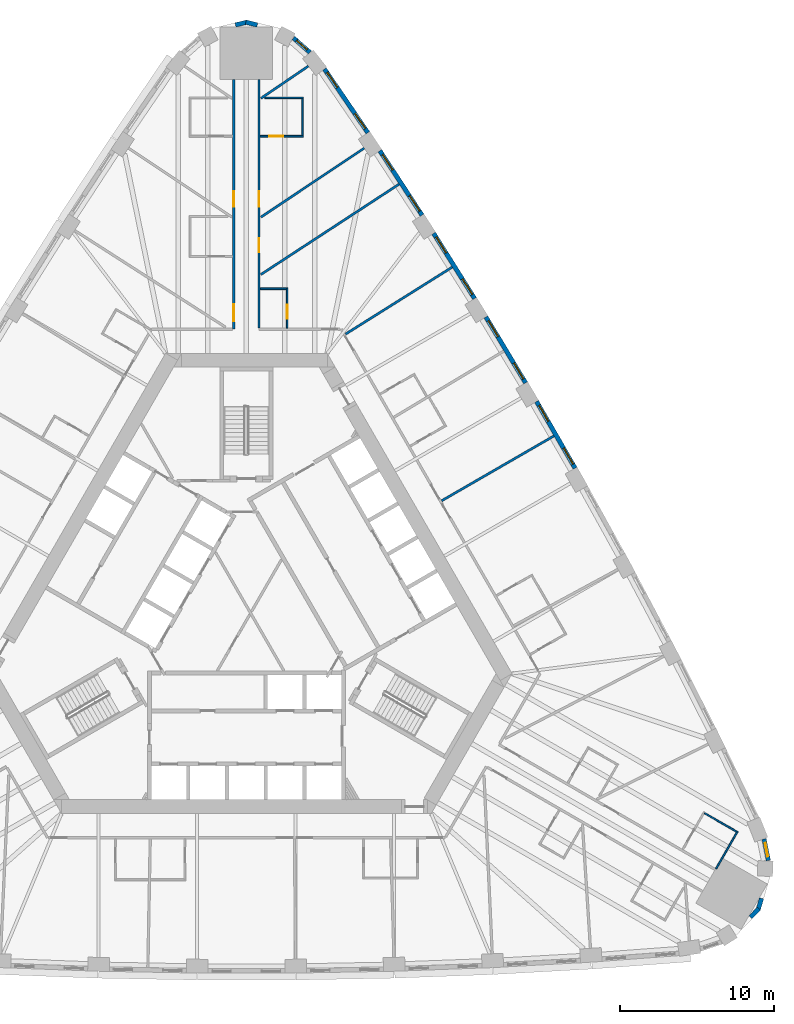
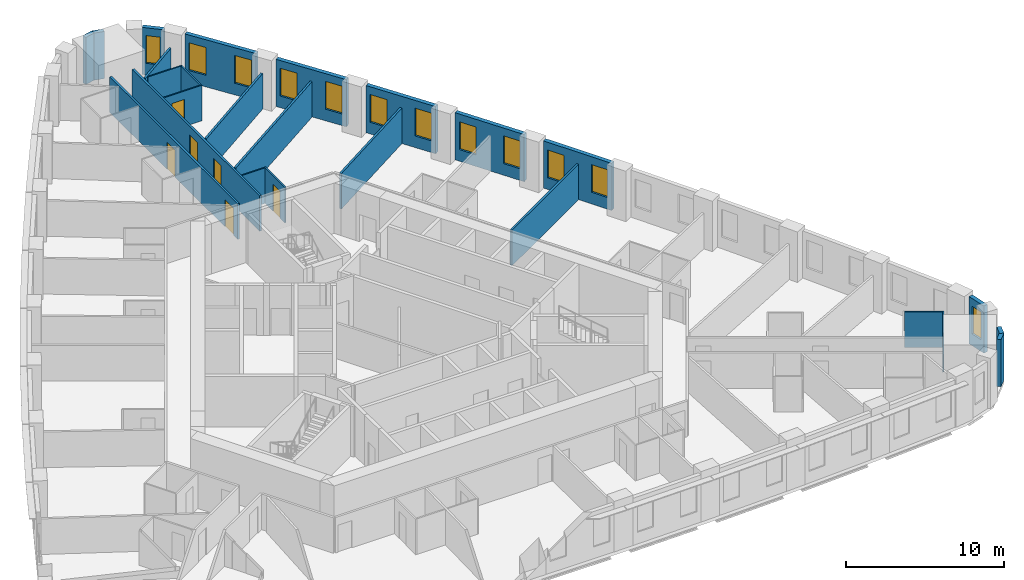
# One storey, part 11 of 13: 25 walls, 12 windows, 6 doors, 18 openings.
"""IFC4 building model written with IfcOpenShell, lengths in metres."""

from ifc_helpers import new_model, si_unit, direction, frame, frame_2d, origin, place, context, subcontext, project, spatial, rectangle, extrude, material, layer, layer_set, type_object, element, fill, save


model = new_model("IFC4")

# Units and contexts
model_context = context("Model", 3, precision=1e-05, world=origin(), true_north=direction((0.0, 1.0)))
body_context = subcontext(model_context, "Body", "Model", "MODEL_VIEW")
ifc_project = project(units=[si_unit("LENGTHUNIT", "METRE"), si_unit("AREAUNIT", "SQUARE_METRE"), si_unit("VOLUMEUNIT", "CUBIC_METRE"), si_unit("PLANEANGLEUNIT", "RADIAN"), si_unit("MASSUNIT", "GRAM", prefix="KILO")], contexts=[model_context])

# Site, building, storey
site_placement = place(None, origin())
site = spatial("IfcSite", under=ifc_project, at=site_placement, CompositionType="ELEMENT")
building_placement = place(site_placement, origin())
building = spatial("IfcBuilding", under=site, at=building_placement, Name="Mestral Congress Tower", CompositionType="ELEMENT")
storey_placement = place(building_placement, frame((0.0, 0.0, 51.0)))
storey = spatial("IfcBuildingStorey", under=building, at=storey_placement, Name="L11", CompositionType="ELEMENT", Elevation=51.0)

# Walls
ifc_material_1 = material(Name="Precast concrete C40/50 with limestone facing", Category="masonry")
ifc_layer_1 = layer(ifc_material_1, 0.2900390625)
ifc_layer_set_1 = layer_set([ifc_layer_1], Name="Precast concrete C40/50 with limestone facing")
wall_type_1 = type_object("IfcWallType", Name="Facade stone wall 290", PredefinedType="SOLIDWALL", material=ifc_layer_set_1)
for number, where, z_axis, x_axis, name in (
    (1, (32.762451171875, -19.732177734375, 0.0), (0.0, 0.0, 1.0), (0.692252359589, 0.721655506903, 0.0), "Facade wall K0-1"),
    (2, (33.256591796875, -19.24072265625, 0.0), (0.0, 0.0, 1.0), (0.278981320915, 0.960296528464, 0.0), "Facade wall K0-2"),
):
    element("IfcWall", number, at=place(storey_placement, frame(where, z_axis=z_axis, x_axis=x_axis)), inside=storey, type_object=wall_type_1, Name=name, PredefinedType="SOLIDWALL", context=body_context, shape_type="SweptSolid", body=[
        extrude(rectangle(XDim=0.763916015625, YDim=0.2900390625, at=frame_2d((0.3818359375, 0.0))), origin(), (0.0, 0.0, 1.0), 3.64990234375),
    ])

# Wall, opening, window
wall_1_placement = place(storey_placement, frame((33.91748046875, -16.043701171875, 0.0), z_axis=(0.0, 0.0, 1.0), x_axis=(-0.198106888228, 0.980180422594, 0.0)))
wall_1 = element("IfcWall", 3, at=wall_1_placement, inside=storey, type_object=wall_type_1, Name="Facade wall K0-3", PredefinedType="SOLIDWALL", context=body_context, shape_type="SweptSolid", body=[
    extrude(rectangle(XDim=1.414794921875, YDim=0.2900390625, at=frame_2d((0.70751953125, 0.0))), origin(), (0.0, 0.0, 1.0), 3.64990234375),
])
opening_1_placement = place(wall_1_placement, frame((0.25732421875, 0.0, 0.89990234375)))
opening_1 = element("IfcOpeningElement", 4, at=opening_1_placement, cuts=wall_1, Name="Opening W3", PredefinedType="OPENING", context=body_context, shape_type="SweptSolid", body=[
    extrude(rectangle(XDim=0.89990234375, YDim=2.14990234375, at=frame_2d((0.449951171875, 1.074951171875))), frame((0.0, 0.155029296875, 0.0), z_axis=(0.0, -1.0, 0.0), x_axis=(1.0, 0.0, 0.0)), (0.0, 0.0, 1.0), 0.31005859375),
])
ifc_material_2 = material(Name="Clear low-emissivity double glazing", Category="glass")
window_type_1 = type_object("IfcWindowType", Name="Facade punched window 900 x 2150 sill 900", PartitioningType="SINGLE_PANEL", PredefinedType="WINDOW", material=ifc_material_2)
window_1_placement = place(opening_1_placement, origin())
window_1 = element("IfcWindow", 5, at=window_1_placement, inside=storey, type_object=window_type_1, Name="Window K0-3", OverallHeight=2.14990234375, OverallWidth=0.89990234375, PartitioningType="SINGLE_PANEL", PredefinedType="WINDOW", context=body_context, shape_type="SweptSolid", body=[
    extrude(rectangle(XDim=0.89990234375, YDim=2.14990234375, at=frame_2d((0.449951171875, 1.074951171875))), frame((0.0, 0.01513671875, 0.0), z_axis=(0.0, -1.0, 0.0), x_axis=(1.0, 0.0, 0.0)), (0.0, 0.0, 1.0), 0.06005859375),
])
fill(opening_1, window_1)

# Wall, openings, windows
wall_2_placement = place(storey_placement, frame((21.357177734375, 9.44482421875, 0.0), z_axis=(0.0, 0.0, 1.0), x_axis=(-0.50002123722, 0.866013142123, 0.0)))
wall_2 = element("IfcWall", 6, at=wall_2_placement, inside=storey, type_object=wall_type_1, Name="Facade wall F1-04", PredefinedType="SOLIDWALL", context=body_context, shape_type="SweptSolid", body=[
    extrude(rectangle(XDim=4.998291015625, YDim=0.2900390625, at=frame_2d((2.4990234375, 0.0))), origin(), (0.0, 0.0, 1.0), 3.64990234375),
])
opening_2_placement = place(wall_2_placement, frame((0.297119140625, 0.0, 0.89990234375)))
opening_2 = element("IfcOpeningElement", 7, at=opening_2_placement, cuts=wall_2, Name="Opening W1", PredefinedType="OPENING", context=body_context, shape_type="SweptSolid", body=[
    extrude(rectangle(XDim=1.199951171875, YDim=2.14990234375, at=frame_2d((0.60009765625, 1.074951171875))), frame((0.0, 0.155029296875, 0.0), z_axis=(0.0, -1.0, 0.0), x_axis=(1.0, 0.0, 0.0)), (0.0, 0.0, 1.0), 0.31005859375),
])
opening_3_placement = place(wall_2_placement, frame((3.501220703125, 0.0, 0.89990234375)))
opening_3 = element("IfcOpeningElement", 8, at=opening_3_placement, cuts=wall_2, Name="Opening W1", PredefinedType="OPENING", context=body_context, shape_type="SweptSolid", body=[
    extrude(rectangle(XDim=1.199951171875, YDim=2.14990234375, at=frame_2d((0.60009765625, 1.074951171875))), frame((0.0, 0.155029296875, 0.0), z_axis=(0.0, -1.0, 0.0), x_axis=(1.0, 0.0, 0.0)), (0.0, 0.0, 1.0), 0.31005859375),
])
window_type_2 = type_object("IfcWindowType", Name="Facade punched window 1200 x 2150 sill 900", PartitioningType="DOUBLE_PANEL_VERTICAL", PredefinedType="WINDOW", material=ifc_material_2)
window_2_placement = place(opening_2_placement, origin())
window_2 = element("IfcWindow", 9, at=window_2_placement, inside=storey, type_object=window_type_2, Name="Window F1-04a", OverallHeight=2.14990234375, OverallWidth=1.199951171875, PartitioningType="DOUBLE_PANEL_VERTICAL", PredefinedType="WINDOW", context=body_context, shape_type="SweptSolid", body=[
    extrude(rectangle(XDim=1.199951171875, YDim=2.14990234375, at=frame_2d((0.60009765625, 1.074951171875))), frame((0.0, 0.01513671875, 0.0), z_axis=(0.0, -1.0, 0.0), x_axis=(1.0, 0.0, 0.0)), (0.0, 0.0, 1.0), 0.06005859375),
])
fill(opening_2, window_2)
window_3_placement = place(opening_3_placement, origin())
window_3 = element("IfcWindow", 10, at=window_3_placement, inside=storey, type_object=window_type_2, Name="Window F1-04b", OverallHeight=2.14990234375, OverallWidth=1.199951171875, PartitioningType="DOUBLE_PANEL_VERTICAL", PredefinedType="WINDOW", context=body_context, shape_type="SweptSolid", body=[
    extrude(rectangle(XDim=1.199951171875, YDim=2.14990234375, at=frame_2d((0.60009765625, 1.074951171875))), frame((0.0, 0.01513671875, 0.0), z_axis=(0.0, -1.0, 0.0), x_axis=(1.0, 0.0, 0.0)), (0.0, 0.0, 1.0), 0.06005859375),
])
fill(opening_3, window_3)

wall_3_placement = place(storey_placement, frame((18.143310546875, 14.985595703125, 0.0), z_axis=(0.0, 0.0, 1.0), x_axis=(-0.515938796285, 0.856625448191, 0.0)))
wall_3 = element("IfcWall", 11, at=wall_3_placement, inside=storey, type_object=wall_type_1, Name="Facade wall F1-05", PredefinedType="SOLIDWALL", context=body_context, shape_type="SweptSolid", body=[
    extrude(rectangle(XDim=4.998291015625, YDim=0.2900390625, at=frame_2d((2.4990234375, 0.0))), origin(), (0.0, 0.0, 1.0), 3.64990234375),
])
opening_4_placement = place(wall_3_placement, frame((0.297119140625, 0.0, 0.89990234375)))
opening_4 = element("IfcOpeningElement", 12, at=opening_4_placement, cuts=wall_3, Name="Opening W1", PredefinedType="OPENING", context=body_context, shape_type="SweptSolid", body=[
    extrude(rectangle(XDim=1.199951171875, YDim=2.14990234375, at=frame_2d((0.60009765625, 1.074951171875))), frame((0.0, 0.155029296875, 0.0), z_axis=(0.0, -1.0, 0.0), x_axis=(1.0, 0.0, 0.0)), (0.0, 0.0, 1.0), 0.31005859375),
])
opening_5_placement = place(wall_3_placement, frame((3.501220703125, 0.0, 0.89990234375)))
opening_5 = element("IfcOpeningElement", 13, at=opening_5_placement, cuts=wall_3, Name="Opening W1", PredefinedType="OPENING", context=body_context, shape_type="SweptSolid", body=[
    extrude(rectangle(XDim=1.199951171875, YDim=2.14990234375, at=frame_2d((0.60009765625, 1.074951171875))), frame((0.0, 0.155029296875, 0.0), z_axis=(0.0, -1.0, 0.0), x_axis=(1.0, 0.0, 0.0)), (0.0, 0.0, 1.0), 0.31005859375),
])
window_4_placement = place(opening_4_placement, origin())
window_4 = element("IfcWindow", 14, at=window_4_placement, inside=storey, type_object=window_type_2, Name="Window F1-05a", OverallHeight=2.14990234375, OverallWidth=1.199951171875, PartitioningType="DOUBLE_PANEL_VERTICAL", PredefinedType="WINDOW", context=body_context, shape_type="SweptSolid", body=[
    extrude(rectangle(XDim=1.199951171875, YDim=2.14990234375, at=frame_2d((0.60009765625, 1.074951171875))), frame((0.0, 0.01513671875, 0.0), z_axis=(0.0, -1.0, 0.0), x_axis=(1.0, 0.0, 0.0)), (0.0, 0.0, 1.0), 0.06005859375),
])
fill(opening_4, window_4)
window_5_placement = place(opening_5_placement, origin())
window_5 = element("IfcWindow", 15, at=window_5_placement, inside=storey, type_object=window_type_2, Name="Window F1-05b", OverallHeight=2.14990234375, OverallWidth=1.199951171875, PartitioningType="DOUBLE_PANEL_VERTICAL", PredefinedType="WINDOW", context=body_context, shape_type="SweptSolid", body=[
    extrude(rectangle(XDim=1.199951171875, YDim=2.14990234375, at=frame_2d((0.60009765625, 1.074951171875))), frame((0.0, 0.01513671875, 0.0), z_axis=(0.0, -1.0, 0.0), x_axis=(1.0, 0.0, 0.0)), (0.0, 0.0, 1.0), 0.06005859375),
])
fill(opening_5, window_5)

wall_4_placement = place(storey_placement, frame((14.827392578125, 20.466064453125, 0.0), z_axis=(0.0, 0.0, 1.0), x_axis=(-0.531688286542, 0.846940119462, 0.0)))
wall_4 = element("IfcWall", 16, at=wall_4_placement, inside=storey, type_object=wall_type_1, Name="Facade wall F1-06", PredefinedType="SOLIDWALL", context=body_context, shape_type="SweptSolid", body=[
    extrude(rectangle(XDim=4.998291015625, YDim=0.2900390625, at=frame_2d((2.4990234375, 0.0))), origin(), (0.0, 0.0, 1.0), 3.64990234375),
])
opening_6_placement = place(wall_4_placement, frame((0.297119140625, 0.0, 0.89990234375)))
opening_6 = element("IfcOpeningElement", 17, at=opening_6_placement, cuts=wall_4, Name="Opening W1", PredefinedType="OPENING", context=body_context, shape_type="SweptSolid", body=[
    extrude(rectangle(XDim=1.199951171875, YDim=2.14990234375, at=frame_2d((0.60009765625, 1.074951171875))), frame((0.0, 0.155029296875, 0.0), z_axis=(0.0, -1.0, 0.0), x_axis=(1.0, 0.0, 0.0)), (0.0, 0.0, 1.0), 0.31005859375),
])
opening_7_placement = place(wall_4_placement, frame((3.501220703125, 0.0, 0.89990234375)))
opening_7 = element("IfcOpeningElement", 18, at=opening_7_placement, cuts=wall_4, Name="Opening W1", PredefinedType="OPENING", context=body_context, shape_type="SweptSolid", body=[
    extrude(rectangle(XDim=1.199951171875, YDim=2.14990234375, at=frame_2d((0.60009765625, 1.074951171875))), frame((0.0, 0.155029296875, 0.0), z_axis=(0.0, -1.0, 0.0), x_axis=(1.0, 0.0, 0.0)), (0.0, 0.0, 1.0), 0.31005859375),
])
window_6_placement = place(opening_6_placement, origin())
window_6 = element("IfcWindow", 19, at=window_6_placement, inside=storey, type_object=window_type_2, Name="Window F1-06a", OverallHeight=2.14990234375, OverallWidth=1.199951171875, PartitioningType="DOUBLE_PANEL_VERTICAL", PredefinedType="WINDOW", context=body_context, shape_type="SweptSolid", body=[
    extrude(rectangle(XDim=1.199951171875, YDim=2.14990234375, at=frame_2d((0.60009765625, 1.074951171875))), frame((0.0, 0.01513671875, 0.0), z_axis=(0.0, -1.0, 0.0), x_axis=(1.0, 0.0, 0.0)), (0.0, 0.0, 1.0), 0.06005859375),
])
fill(opening_6, window_6)
window_7_placement = place(opening_7_placement, origin())
window_7 = element("IfcWindow", 20, at=window_7_placement, inside=storey, type_object=window_type_2, Name="Window F1-06b", OverallHeight=2.14990234375, OverallWidth=1.199951171875, PartitioningType="DOUBLE_PANEL_VERTICAL", PredefinedType="WINDOW", context=body_context, shape_type="SweptSolid", body=[
    extrude(rectangle(XDim=1.199951171875, YDim=2.14990234375, at=frame_2d((0.60009765625, 1.074951171875))), frame((0.0, 0.01513671875, 0.0), z_axis=(0.0, -1.0, 0.0), x_axis=(1.0, 0.0, 0.0)), (0.0, 0.0, 1.0), 0.06005859375),
])
fill(opening_7, window_7)

wall_5_placement = place(storey_placement, frame((11.41064453125, 25.884033203125, 0.0), z_axis=(0.0, 0.0, 1.0), x_axis=(-0.547204617628, 0.836998868845, 0.0)))
wall_5 = element("IfcWall", 21, at=wall_5_placement, inside=storey, type_object=wall_type_1, Name="Facade wall F1-07", PredefinedType="SOLIDWALL", context=body_context, shape_type="SweptSolid", body=[
    extrude(rectangle(XDim=4.998291015625, YDim=0.2900390625, at=frame_2d((2.4990234375, 0.0))), origin(), (0.0, 0.0, 1.0), 3.64990234375),
])
opening_8_placement = place(wall_5_placement, frame((0.297119140625, 0.0, 0.89990234375)))
opening_8 = element("IfcOpeningElement", 22, at=opening_8_placement, cuts=wall_5, Name="Opening W1", PredefinedType="OPENING", context=body_context, shape_type="SweptSolid", body=[
    extrude(rectangle(XDim=1.199951171875, YDim=2.14990234375, at=frame_2d((0.60009765625, 1.074951171875))), frame((0.0, 0.155029296875, 0.0), z_axis=(0.0, -1.0, 0.0), x_axis=(1.0, 0.0, 0.0)), (0.0, 0.0, 1.0), 0.31005859375),
])
opening_9_placement = place(wall_5_placement, frame((3.501220703125, 0.0, 0.89990234375)))
opening_9 = element("IfcOpeningElement", 23, at=opening_9_placement, cuts=wall_5, Name="Opening W1", PredefinedType="OPENING", context=body_context, shape_type="SweptSolid", body=[
    extrude(rectangle(XDim=1.199951171875, YDim=2.14990234375, at=frame_2d((0.60009765625, 1.074951171875))), frame((0.0, 0.155029296875, 0.0), z_axis=(0.0, -1.0, 0.0), x_axis=(1.0, 0.0, 0.0)), (0.0, 0.0, 1.0), 0.31005859375),
])
window_8_placement = place(opening_8_placement, origin())
window_8 = element("IfcWindow", 24, at=window_8_placement, inside=storey, type_object=window_type_2, Name="Window F1-07a", OverallHeight=2.14990234375, OverallWidth=1.199951171875, PartitioningType="DOUBLE_PANEL_VERTICAL", PredefinedType="WINDOW", context=body_context, shape_type="SweptSolid", body=[
    extrude(rectangle(XDim=1.199951171875, YDim=2.14990234375, at=frame_2d((0.60009765625, 1.074951171875))), frame((0.0, 0.01513671875, 0.0), z_axis=(0.0, -1.0, 0.0), x_axis=(1.0, 0.0, 0.0)), (0.0, 0.0, 1.0), 0.06005859375),
])
fill(opening_8, window_8)
window_9_placement = place(opening_9_placement, origin())
window_9 = element("IfcWindow", 25, at=window_9_placement, inside=storey, type_object=window_type_2, Name="Window F1-07b", OverallHeight=2.14990234375, OverallWidth=1.199951171875, PartitioningType="DOUBLE_PANEL_VERTICAL", PredefinedType="WINDOW", context=body_context, shape_type="SweptSolid", body=[
    extrude(rectangle(XDim=1.199951171875, YDim=2.14990234375, at=frame_2d((0.60009765625, 1.074951171875))), frame((0.0, 0.01513671875, 0.0), z_axis=(0.0, -1.0, 0.0), x_axis=(1.0, 0.0, 0.0)), (0.0, 0.0, 1.0), 0.06005859375),
])
fill(opening_9, window_9)

wall_6_placement = place(storey_placement, frame((7.89453125, 31.23828125, 0.0), z_axis=(0.0, 0.0, 1.0), x_axis=(-0.562610153679, 0.826722332454, 0.0)))
wall_6 = element("IfcWall", 26, at=wall_6_placement, inside=storey, type_object=wall_type_1, Name="Facade wall F1-08", PredefinedType="SOLIDWALL", context=body_context, shape_type="SweptSolid", body=[
    extrude(rectangle(XDim=5.005615234375, YDim=0.2900390625, at=frame_2d((2.5029296875, 0.0))), origin(), (0.0, 0.0, 1.0), 3.64990234375),
])
opening_10_placement = place(wall_6_placement, frame((0.310302734375, 0.0, 0.89990234375)))
opening_10 = element("IfcOpeningElement", 27, at=opening_10_placement, cuts=wall_6, Name="Opening W1", PredefinedType="OPENING", context=body_context, shape_type="SweptSolid", body=[
    extrude(rectangle(XDim=1.199951171875, YDim=2.14990234375, at=frame_2d((0.60009765625, 1.074951171875))), frame((0.0, 0.155029296875, 0.0), z_axis=(0.0, -1.0, 0.0), x_axis=(1.0, 0.0, 0.0)), (0.0, 0.0, 1.0), 0.31005859375),
])
opening_11_placement = place(wall_6_placement, frame((3.54052734375, 0.0, 0.89990234375)))
opening_11 = element("IfcOpeningElement", 28, at=opening_11_placement, cuts=wall_6, Name="Opening W1", PredefinedType="OPENING", context=body_context, shape_type="SweptSolid", body=[
    extrude(rectangle(XDim=1.199951171875, YDim=2.14990234375, at=frame_2d((0.60009765625, 1.074951171875))), frame((0.0, 0.155029296875, 0.0), z_axis=(0.0, -1.0, 0.0), x_axis=(1.0, 0.0, 0.0)), (0.0, 0.0, 1.0), 0.31005859375),
])
window_10_placement = place(opening_10_placement, origin())
window_10 = element("IfcWindow", 29, at=window_10_placement, inside=storey, type_object=window_type_2, Name="Window F1-08a", OverallHeight=2.14990234375, OverallWidth=1.199951171875, PartitioningType="DOUBLE_PANEL_VERTICAL", PredefinedType="WINDOW", context=body_context, shape_type="SweptSolid", body=[
    extrude(rectangle(XDim=1.199951171875, YDim=2.14990234375, at=frame_2d((0.60009765625, 1.074951171875))), frame((0.0, 0.01513671875, 0.0), z_axis=(0.0, -1.0, 0.0), x_axis=(1.0, 0.0, 0.0)), (0.0, 0.0, 1.0), 0.06005859375),
])
fill(opening_10, window_10)
window_11_placement = place(opening_11_placement, origin())
window_11 = element("IfcWindow", 30, at=window_11_placement, inside=storey, type_object=window_type_2, Name="Window F1-08b", OverallHeight=2.14990234375, OverallWidth=1.199951171875, PartitioningType="DOUBLE_PANEL_VERTICAL", PredefinedType="WINDOW", context=body_context, shape_type="SweptSolid", body=[
    extrude(rectangle(XDim=1.199951171875, YDim=2.14990234375, at=frame_2d((0.60009765625, 1.074951171875))), frame((0.0, 0.01513671875, 0.0), z_axis=(0.0, -1.0, 0.0), x_axis=(1.0, 0.0, 0.0)), (0.0, 0.0, 1.0), 0.06005859375),
])
fill(opening_11, window_11)

# Wall, opening, window
wall_7_placement = place(storey_placement, frame((4.12548828125, 36.458984375, 0.0), z_axis=(0.0, 0.0, 1.0), x_axis=(-0.749812680302, 0.661650167731, 0.0)))
wall_7 = element("IfcWall", 31, at=wall_7_placement, inside=storey, type_object=wall_type_1, Name="Facade wall K1-0", PredefinedType="SOLIDWALL", context=body_context, shape_type="SweptSolid", body=[
    extrude(rectangle(XDim=1.4150390625, YDim=0.2900390625, at=frame_2d((0.70751953125, 0.0))), origin(), (0.0, 0.0, 1.0), 3.64990234375),
])
opening_12_placement = place(wall_7_placement, frame((0.257568359375, 0.0, 0.89990234375)))
opening_12 = element("IfcOpeningElement", 32, at=opening_12_placement, cuts=wall_7, Name="Opening W3", PredefinedType="OPENING", context=body_context, shape_type="SweptSolid", body=[
    extrude(rectangle(XDim=0.89990234375, YDim=2.14990234375, at=frame_2d((0.449951171875, 1.074951171875))), frame((0.0, 0.155029296875, 0.0), z_axis=(0.0, -1.0, 0.0), x_axis=(1.0, 0.0, 0.0)), (0.0, 0.0, 1.0), 0.31005859375),
])
window_12_placement = place(opening_12_placement, origin())
window_12 = element("IfcWindow", 33, at=window_12_placement, inside=storey, type_object=window_type_1, Name="Window K1-0", OverallHeight=2.14990234375, OverallWidth=0.89990234375, PartitioningType="SINGLE_PANEL", PredefinedType="WINDOW", context=body_context, shape_type="SweptSolid", body=[
    extrude(rectangle(XDim=0.89990234375, YDim=2.14990234375, at=frame_2d((0.449951171875, 1.074951171875))), frame((0.0, 0.01513671875, 0.0), z_axis=(0.0, -1.0, 0.0), x_axis=(1.0, 0.0, 0.0)), (0.0, 0.0, 1.0), 0.06005859375),
])
fill(opening_12, window_12)

# Walls
for number, where, z_axis, x_axis, name in (
    (34, (0.707275390625, 38.2392578125, 0.0), (0.0, 0.0, 1.0), (-0.971167582305, 0.238397833629, 0.0), "Facade wall K1-1"),
    (35, (0.03466796875, 38.42138671875, 0.0), (0.0, 0.0, 1.0), (-0.971167582305, -0.238397833629, 0.0), "Facade wall K1-2"),
):
    element("IfcWall", number, at=place(storey_placement, frame(where, z_axis=z_axis, x_axis=x_axis)), inside=storey, type_object=wall_type_1, Name=name, PredefinedType="SOLIDWALL", context=body_context, shape_type="SweptSolid", body=[
        extrude(rectangle(XDim=0.763916015625, YDim=0.2900390625, at=frame_2d((0.3818359375, 0.0))), origin(), (0.0, 0.0, 1.0), 3.64990234375),
    ])
ifc_material_3 = material(Name="Gypsum board partition on metal studs with mineral wool", Category="composite")
ifc_layer_2 = layer(ifc_material_3, 0.10009765625)
ifc_layer_set_2 = layer_set([ifc_layer_2], Name="Gypsum board partition on metal studs with mineral wool")
wall_type_2 = type_object("IfcWallType", Name="Hotel partition wall 100", PredefinedType="PARTITIONING", material=ifc_layer_set_2)
wall_8_placement = place(storey_placement, frame((29.770751953125, -12.973388671875, 0.0), z_axis=(0.0, 0.0, 1.0), x_axis=(0.865980596518, -0.500077600433, 0.0)))
element("IfcWall", 36, at=wall_8_placement, inside=storey, type_object=wall_type_2, Name="L11-h-pod09b", PredefinedType="PARTITIONING", context=body_context, shape_type="SweptSolid", body=[
    extrude(rectangle(XDim=2.39990234375, YDim=0.10009765625, at=frame_2d((1.199951171875, 0.0))), origin(), (0.0, 0.0, 1.0), 2.75),
])
wall_9_placement = place(storey_placement, frame((30.517578125, -16.580078125, 0.0), z_axis=(0.0, 0.0, 1.0), x_axis=(0.49998411664, 0.866034573852, 0.0)))
element("IfcWall", 37, at=wall_9_placement, inside=storey, type_object=wall_type_2, Name="L11-h-pod09c", PredefinedType="PARTITIONING", context=body_context, shape_type="SweptSolid", body=[
    extrude(rectangle(XDim=2.7998046875, YDim=0.10009765625, at=frame_2d((1.39990234375, 0.0))), origin(), (0.0, 0.0, 1.0), 2.75),
])

# Wall, opening, door
wall_10_placement = place(storey_placement, frame((2.65087890625, 18.550048828125, 0.0), z_axis=(0.0, 0.0, 1.0), x_axis=(0.0, 1.0, 0.0)))
wall_10 = element("IfcWall", 38, at=wall_10_placement, inside=storey, type_object=wall_type_2, Name="L11-h-pod15a", PredefinedType="PARTITIONING", context=body_context, shape_type="SweptSolid", body=[
    extrude(rectangle(XDim=2.599853515625, YDim=0.10009765625, at=frame_2d((1.2998046875, 0.0))), origin(), (0.0, 0.0, 1.0), 2.75),
])
opening_13_placement = place(wall_10_placement, frame((0.60009765625, 0.0, 0.0)))
opening_13 = element("IfcOpeningElement", 39, at=opening_13_placement, cuts=wall_10, Name="Opening H03-030", PredefinedType="OPENING", context=body_context, shape_type="SweptSolid", body=[
    extrude(rectangle(XDim=0.89990234375, YDim=2.10009765625, at=frame_2d((0.449951171875, 1.050048828125))), frame((0.0, 0.06005859375, 0.0), z_axis=(0.0, -1.0, 0.0), x_axis=(1.0, 0.0, 0.0)), (0.0, 0.0, 1.0), 0.1201171875),
])
ifc_material_4 = material(Name="Timber veneer door leaf in timber frame", Category="wood")
door_type_1 = type_object("IfcDoorType", Name="Bathroom door 900", OperationType="SINGLE_SWING_LEFT", PredefinedType="DOOR", material=ifc_material_4)
door_1_placement = place(opening_13_placement, origin())
door_1 = element("IfcDoor", 40, at=door_1_placement, inside=storey, type_object=door_type_1, Name="L11-h-d030", OperationType="SINGLE_SWING_RIGHT", OverallHeight=2.10009765625, OverallWidth=0.89990234375, PredefinedType="DOOR", context=body_context, shape_type="SweptSolid", body=[
    extrude(rectangle(XDim=0.89990234375, YDim=2.10009765625, at=frame_2d((0.449951171875, 1.050048828125))), frame((0.0, 0.02490234375, 0.0), z_axis=(0.0, -1.0, 0.0), x_axis=(1.0, 0.0, 0.0)), (0.0, 0.0, 1.0), 0.050048828125),
])
fill(opening_13, door_1)

# Wall
wall_11_placement = place(storey_placement, frame((2.60107421875, 21.10009765625, 0.0), z_axis=(0.0, 0.0, 1.0), x_axis=(-1.0, 0.0, 0.0)))
element("IfcWall", 41, at=wall_11_placement, inside=storey, type_object=wall_type_2, Name="L11-h-pod15b", PredefinedType="PARTITIONING", context=body_context, shape_type="SweptSolid", body=[
    extrude(rectangle(XDim=1.7001953125, YDim=0.10009765625, at=frame_2d((0.85009765625, 0.0))), origin(), (0.0, 0.0, 1.0), 2.75),
])

# Wall, opening, door
wall_12_placement = place(storey_placement, frame((0.89990234375, 31.008544921875, 0.0), z_axis=(0.0, 0.0, 1.0), x_axis=(1.0, 0.0, 0.0)))
wall_12 = element("IfcWall", 42, at=wall_12_placement, inside=storey, type_object=wall_type_2, Name="L11-h-pod17a", PredefinedType="PARTITIONING", context=body_context, shape_type="SweptSolid", body=[
    extrude(rectangle(XDim=2.800048828125, YDim=0.10009765625, at=frame_2d((1.39990234375, 0.0))), origin(), (0.0, 0.0, 1.0), 2.75),
])
opening_14_placement = place(wall_12_placement, frame((0.60009765625, 0.0, 0.0)))
opening_14 = element("IfcOpeningElement", 43, at=opening_14_placement, cuts=wall_12, Name="Opening H03-033", PredefinedType="OPENING", context=body_context, shape_type="SweptSolid", body=[
    extrude(rectangle(XDim=0.89990234375, YDim=2.10009765625, at=frame_2d((0.449951171875, 1.050048828125))), frame((0.0, 0.06005859375, 0.0), z_axis=(0.0, -1.0, 0.0), x_axis=(1.0, 0.0, 0.0)), (0.0, 0.0, 1.0), 0.1201171875),
])
door_2_placement = place(opening_14_placement, origin())
door_2 = element("IfcDoor", 44, at=door_2_placement, inside=storey, type_object=door_type_1, Name="L11-h-d033", OperationType="SINGLE_SWING_LEFT", OverallHeight=2.10009765625, OverallWidth=0.89990234375, PredefinedType="DOOR", context=body_context, shape_type="SweptSolid", body=[
    extrude(rectangle(XDim=0.89990234375, YDim=2.10009765625, at=frame_2d((0.449951171875, 1.050048828125))), frame((0.0, 0.02490234375, 0.0), z_axis=(0.0, -1.0, 0.0), x_axis=(1.0, 0.0, 0.0)), (0.0, 0.0, 1.0), 0.050048828125),
])
fill(opening_14, door_2)

# Walls
wall_13_placement = place(storey_placement, frame((3.64990234375, 31.05859375, 0.0), z_axis=(0.0, 0.0, 1.0), x_axis=(0.0, 1.0, 0.0)))
element("IfcWall", 45, at=wall_13_placement, inside=storey, type_object=wall_type_2, Name="L11-h-pod17b", PredefinedType="PARTITIONING", context=body_context, shape_type="SweptSolid", body=[
    extrude(rectangle(XDim=2.39990234375, YDim=0.10009765625, at=frame_2d((1.199951171875, 0.0))), origin(), (0.0, 0.0, 1.0), 2.75),
])
wall_14_placement = place(storey_placement, frame((1.199951171875, 33.508544921875, 0.0), z_axis=(0.0, 0.0, 1.0), x_axis=(1.0, 0.0, 0.0)))
element("IfcWall", 46, at=wall_14_placement, inside=storey, type_object=wall_type_2, Name="L11-h-pod17c", PredefinedType="PARTITIONING", context=body_context, shape_type="SweptSolid", body=[
    extrude(rectangle(XDim=2.5, YDim=0.10009765625, at=frame_2d((1.25, 0.0))), origin(), (0.0, 0.0, 1.0), 2.75),
])

# Wall, openings, doors
ifc_layer_3 = layer(ifc_material_3, 0.14990234375)
ifc_layer_set_3 = layer_set([ifc_layer_3], Name="Gypsum board partition on metal studs with mineral wool")
wall_type_3 = type_object("IfcWallType", Name="Hotel partition wall 150", PredefinedType="PARTITIONING", material=ifc_layer_set_3)
wall_15_placement = place(storey_placement, frame((0.824951171875, 34.698974609375, 0.0), z_axis=(0.0, 0.0, 1.0), x_axis=(0.0, -1.0, 0.0)))
wall_15 = element("IfcWall", 47, at=wall_15_placement, inside=storey, type_object=wall_type_3, Name="L11-h-cw05", PredefinedType="PARTITIONING", context=body_context, shape_type="SweptSolid", body=[
    extrude(rectangle(XDim=16.14404296875, YDim=0.14990234375, at=frame_2d((8.072021484375, 0.0))), origin(), (0.0, 0.0, 1.0), 2.75),
])
opening_15_placement = place(wall_15_placement, frame((10.3291015625, 0.0, 0.0)))
opening_15 = element("IfcOpeningElement", 48, at=opening_15_placement, cuts=wall_15, Name="Opening H03-031", PredefinedType="OPENING", context=body_context, shape_type="SweptSolid", body=[
    extrude(rectangle(XDim=0.89990234375, YDim=2.10009765625, at=frame_2d((0.449951171875, 1.050048828125))), frame((0.0, 0.0849609375, 0.0), z_axis=(0.0, -1.0, 0.0), x_axis=(1.0, 0.0, 0.0)), (0.0, 0.0, 1.0), 0.169921875),
])
opening_16_placement = place(wall_15_placement, frame((7.274658203125, 0.0, 0.0)))
opening_16 = element("IfcOpeningElement", 49, at=opening_16_placement, cuts=wall_15, Name="Opening H03-032", PredefinedType="OPENING", context=body_context, shape_type="SweptSolid", body=[
    extrude(rectangle(XDim=1.0, YDim=2.10009765625, at=frame_2d((0.5, 1.050048828125))), frame((0.0, 0.0849609375, 0.0), z_axis=(0.0, -1.0, 0.0), x_axis=(1.0, 0.0, 0.0)), (0.0, 0.0, 1.0), 0.169921875),
])
ifc_material_5 = material(Name="Timber veneer door leaf in metal frame", Category="wood")
door_type_2 = type_object("IfcDoorType", Name="Guest room entrance door 1000", OperationType="SINGLE_SWING_LEFT", PredefinedType="DOOR", material=ifc_material_5)
door_3_placement = place(opening_16_placement, origin())
door_3 = element("IfcDoor", 50, at=door_3_placement, inside=storey, type_object=door_type_2, Name="L11-h-d032", OperationType="SINGLE_SWING_RIGHT", OverallHeight=2.10009765625, OverallWidth=1.0, PredefinedType="DOOR", context=body_context, shape_type="SweptSolid", body=[
    extrude(rectangle(XDim=1.0, YDim=2.10009765625, at=frame_2d((0.5, 1.050048828125))), frame((0.0, 0.02490234375, 0.0), z_axis=(0.0, -1.0, 0.0), x_axis=(1.0, 0.0, 0.0)), (0.0, 0.0, 1.0), 0.050048828125),
])
fill(opening_16, door_3)
door_type_3 = type_object("IfcDoorType", Name="Service room door 900", OperationType="SINGLE_SWING_LEFT", PredefinedType="DOOR", material=ifc_material_5)
door_4_placement = place(opening_15_placement, origin())
door_4 = element("IfcDoor", 51, at=door_4_placement, inside=storey, type_object=door_type_3, Name="L11-h-d031", OperationType="SINGLE_SWING_RIGHT", OverallHeight=2.10009765625, OverallWidth=0.89990234375, PredefinedType="DOOR", context=body_context, shape_type="SweptSolid", body=[
    extrude(rectangle(XDim=0.89990234375, YDim=2.10009765625, at=frame_2d((0.449951171875, 1.050048828125))), frame((0.0, 0.02490234375, 0.0), z_axis=(0.0, -1.0, 0.0), x_axis=(1.0, 0.0, 0.0)), (0.0, 0.0, 1.0), 0.050048828125),
])
fill(opening_15, door_4)

wall_16_placement = place(storey_placement, frame((-0.824951171875, 18.47509765625, 0.0), z_axis=(0.0, 0.0, 1.0), x_axis=(0.0, 1.0, 0.0)))
wall_16 = element("IfcWall", 52, at=wall_16_placement, inside=storey, type_object=wall_type_3, Name="L11-h-cw06", PredefinedType="PARTITIONING", context=body_context, shape_type="SweptSolid", body=[
    extrude(rectangle(XDim=16.223876953125, YDim=0.14990234375, at=frame_2d((8.11181640625, 0.0))), origin(), (0.0, 0.0, 1.0), 2.75),
])
opening_17_placement = place(wall_16_placement, frame((7.948974609375, 0.0, 0.0)))
opening_17 = element("IfcOpeningElement", 53, at=opening_17_placement, cuts=wall_16, Name="Opening H03-034", PredefinedType="OPENING", context=body_context, shape_type="SweptSolid", body=[
    extrude(rectangle(XDim=1.0, YDim=2.10009765625, at=frame_2d((0.5, 1.050048828125))), frame((0.0, 0.0849609375, 0.0), z_axis=(0.0, -1.0, 0.0), x_axis=(1.0, 0.0, 0.0)), (0.0, 0.0, 1.0), 0.169921875),
])
opening_18_placement = place(wall_16_placement, frame((0.52587890625, 0.0, 0.0)))
opening_18 = element("IfcOpeningElement", 54, at=opening_18_placement, cuts=wall_16, Name="Opening H03-036", PredefinedType="OPENING", context=body_context, shape_type="SweptSolid", body=[
    extrude(rectangle(XDim=1.10009765625, YDim=2.10009765625, at=frame_2d((0.550048828125, 1.050048828125))), frame((0.0, 0.0849609375, 0.0), z_axis=(0.0, -1.0, 0.0), x_axis=(1.0, 0.0, 0.0)), (0.0, 0.0, 1.0), 0.169921875),
])
door_type_4 = type_object("IfcDoorType", Name="Accessible room entrance door 1100", OperationType="SINGLE_SWING_LEFT", PredefinedType="DOOR", material=ifc_material_5)
door_5_placement = place(opening_18_placement, origin())
door_5 = element("IfcDoor", 55, at=door_5_placement, inside=storey, type_object=door_type_4, Name="L11-h-d036", OperationType="SINGLE_SWING_LEFT", OverallHeight=2.10009765625, OverallWidth=1.10009765625, PredefinedType="DOOR", context=body_context, shape_type="SweptSolid", body=[
    extrude(rectangle(XDim=1.10009765625, YDim=2.10009765625, at=frame_2d((0.550048828125, 1.050048828125))), frame((0.0, 0.02490234375, 0.0), z_axis=(0.0, -1.0, 0.0), x_axis=(1.0, 0.0, 0.0)), (0.0, 0.0, 1.0), 0.050048828125),
])
fill(opening_18, door_5)
door_6_placement = place(opening_17_placement, origin())
door_6 = element("IfcDoor", 56, at=door_6_placement, inside=storey, type_object=door_type_2, Name="L11-h-d034", OperationType="SINGLE_SWING_LEFT", OverallHeight=2.10009765625, OverallWidth=1.0, PredefinedType="DOOR", context=body_context, shape_type="SweptSolid", body=[
    extrude(rectangle(XDim=1.0, YDim=2.10009765625, at=frame_2d((0.5, 1.050048828125))), frame((0.0, 0.02490234375, 0.0), z_axis=(0.0, -1.0, 0.0), x_axis=(1.0, 0.0, 0.0)), (0.0, 0.0, 1.0), 0.050048828125),
])
fill(opening_17, door_6)

# Walls
wall_17_placement = place(storey_placement, frame((9.921630859375, 27.896484375, 0.0), z_axis=(0.0, 0.0, 1.0), x_axis=(-0.836970816595, -0.547247523675, 0.0)))
element("IfcWall", 57, at=wall_17_placement, inside=storey, type_object=wall_type_3, Name="L11-h-pw14", PredefinedType="PARTITIONING", context=body_context, shape_type="SweptSolid", body=[
    extrude(rectangle(XDim=10.728759765625, YDim=0.14990234375, at=frame_2d((5.3642578125, 0.0))), origin(), (0.0, 0.0, 1.0), 2.75),
])
wall_18_placement = place(storey_placement, frame((7.662353515625, 30.237548828125, 0.0), z_axis=(0.0, 0.0, 1.0), x_axis=(-0.831882886825, -0.554951225431, 0.0)))
element("IfcWall", 58, at=wall_18_placement, inside=storey, type_object=wall_type_3, Name="L11-h-pw15", PredefinedType="PARTITIONING", context=body_context, shape_type="SweptSolid", body=[
    extrude(rectangle(XDim=8.078857421875, YDim=0.14990234375, at=frame_2d((4.03955078125, 0.0))), origin(), (0.0, 0.0, 1.0), 2.75),
])
wall_19_placement = place(storey_placement, frame((4.02783203125, 35.56884765625, 0.0), z_axis=(0.0, 0.0, 1.0), x_axis=(-0.826700206326, -0.56264266534, 0.0)))
element("IfcWall", 59, at=wall_19_placement, inside=storey, type_object=wall_type_3, Name="L11-h-pw16", PredefinedType="PARTITIONING", context=body_context, shape_type="SweptSolid", body=[
    extrude(rectangle(XDim=3.7333984375, YDim=0.14990234375, at=frame_2d((1.86669921875, 0.0))), origin(), (0.0, 0.0, 1.0), 2.75),
])
wall_20_placement = place(storey_placement, frame((13.375732421875, 22.505615234375, 0.0), z_axis=(0.0, 0.0, 1.0), x_axis=(-0.846945608893, -0.531679542183, 0.0)))
element("IfcWall", 60, at=wall_20_placement, inside=storey, type_object=wall_type_3, Name="L11-h-pw18", PredefinedType="PARTITIONING", context=body_context, shape_type="SweptSolid", body=[
    extrude(rectangle(XDim=8.182373046875, YDim=0.14990234375, at=frame_2d((4.09130859375, 0.0))), origin(), (0.0, 0.0, 1.0), 2.75),
])
wall_21_placement = place(storey_placement, frame((19.98193359375, 11.53662109375, 0.0), z_axis=(0.0, 0.0, 1.0), x_axis=(-0.866020994654, -0.500007636761, 0.0)))
element("IfcWall", 61, at=wall_21_placement, inside=storey, type_object=wall_type_3, Name="L11-h-pw21", PredefinedType="PARTITIONING", context=body_context, shape_type="SweptSolid", body=[
    extrude(rectangle(XDim=8.423095703125, YDim=0.14990234375, at=frame_2d((4.21142578125, 0.0))), origin(), (0.0, 0.0, 1.0), 2.75),
])

save(model, "model.ifc")
